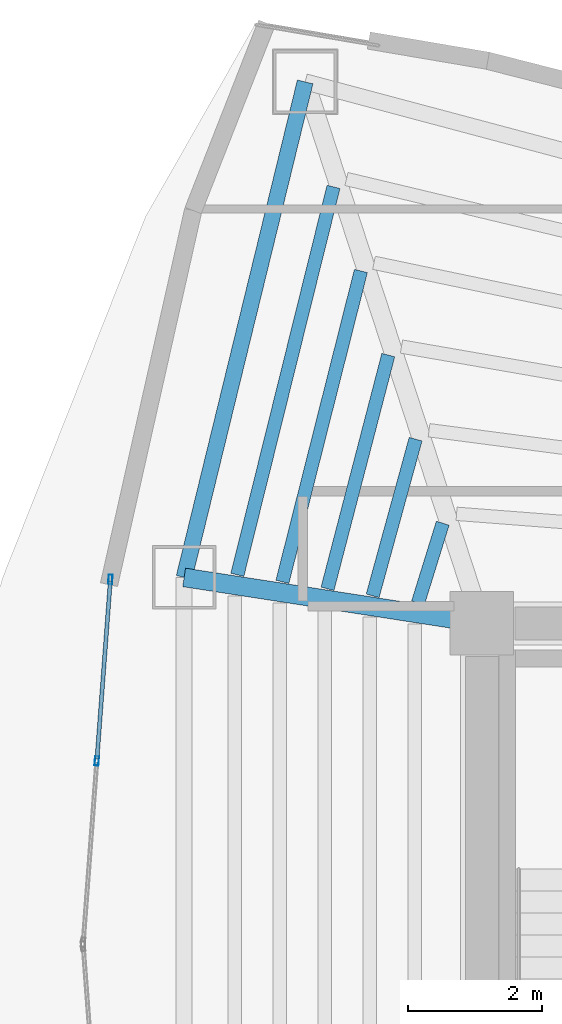
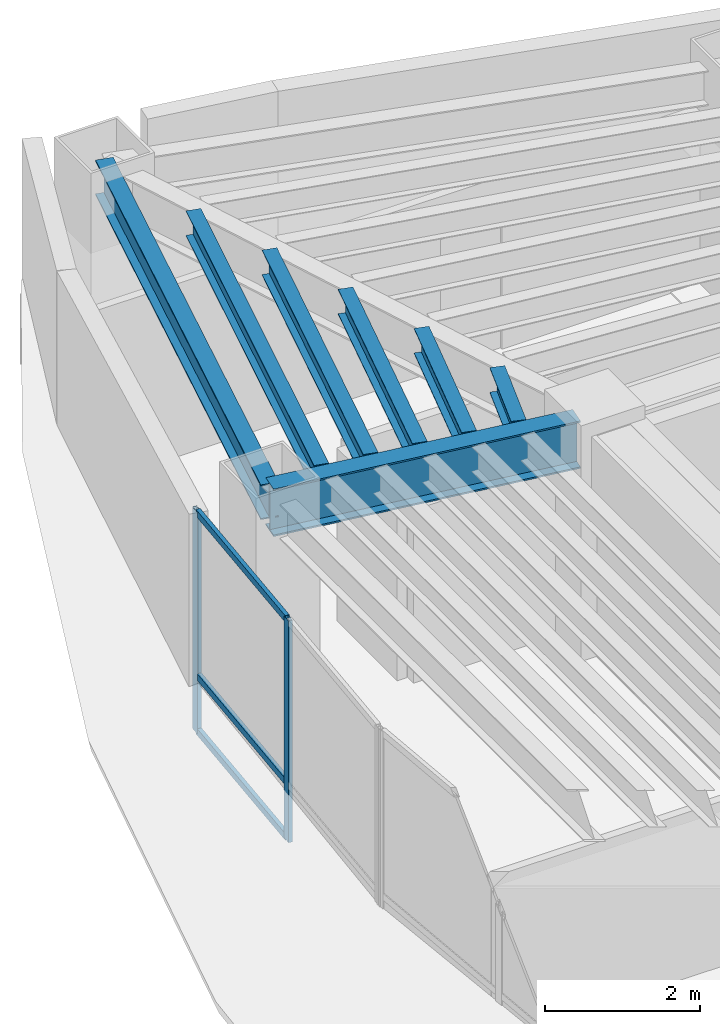
# One storey, part 7 of 15: 7 beams, 5 members, 1 element without a shape of its own.
"""IFC4 building model written with IfcOpenShell, lengths in metres."""

from ifc_helpers import new_model, si_unit, direction, frame, origin, origin_2d, place, context, subcontext, project, spatial, hollow_rectangle, i_section, extrude, material, layer, layer_set, material_profile, profile_set, type_object, element, aggregate, save


model = new_model("IFC4")

# Units and contexts
model_context = context("Model", 3, precision=1e-05, world=origin(), true_north=direction((0.0, 1.0)))
body_context = subcontext(model_context, "Body", "Model", "MODEL_VIEW")
ifc_project = project(units=[si_unit("LENGTHUNIT", "METRE"), si_unit("AREAUNIT", "SQUARE_METRE"), si_unit("VOLUMEUNIT", "CUBIC_METRE"), si_unit("PLANEANGLEUNIT", "RADIAN"), si_unit("MASSUNIT", "GRAM", prefix="KILO")], contexts=[model_context])

# Site, building, storey
site_placement = place(None, origin())
site = spatial("IfcSite", under=ifc_project, at=site_placement, CompositionType="ELEMENT")
building_placement = place(site_placement, origin())
building = spatial("IfcBuilding", under=site, at=building_placement, Name="Menara Vayukalpa", CompositionType="ELEMENT")
storey_placement = place(building_placement, frame((0.0, 0.0, 184.080078125)))
storey = spatial("IfcBuildingStorey", under=building, at=storey_placement, Name="L46", CompositionType="ELEMENT", Elevation=184.080078125)

# Beams
ifc_material_1 = material(Name="Steel S355", Category="steel")
ifc_material_profile_1 = material_profile(ifc_material_1, i_section(OverallWidth=0.280029296875, OverallDepth=0.75, WebThickness=0.013916015625, FlangeThickness=0.02490234375, at=origin_2d()), Name="WF 750x280x14x25")
ifc_profile_set_1 = profile_set([ifc_material_profile_1], Name="Steel S355")
beam_type_1 = type_object("IfcBeamType", Name="BM-PG4", PredefinedType="BEAM", material=ifc_profile_set_1)
beam_1_placement = place(storey_placement, frame((17.552978515625, 26.838134765625, 3.125), z_axis=(-0.988244781219, 0.152879862617, 0.0), x_axis=(-0.152879862617, -0.988244781219, 0.0)))
element("IfcBeam", 1, at=beam_1_placement, inside=storey, type_object=beam_type_1, Name="L46 Primary Radial Girder RG05", PredefinedType="BEAM", context=body_context, shape_type="SweptSolid", body=[
    extrude(i_section(OverallWidth=0.280029296875, OverallDepth=0.75, WebThickness=0.013916015625, FlangeThickness=0.02490234375, at=origin_2d()), origin(), (0.0, 0.0, 1.0), 4.259033203125),
])
ifc_material_2 = material(Name="Steel S355", Category="steel")
ifc_material_profile_2 = material_profile(ifc_material_2, i_section(OverallWidth=0.199951171875, OverallDepth=0.39990234375, WebThickness=0.008056640625, FlangeThickness=0.012939453125, at=origin_2d()), Name="WF 400x200x8x13")
ifc_profile_set_2 = profile_set([ifc_material_profile_2], Name="Steel S355")
beam_type_2 = type_object("IfcBeamType", Name="BM-SJ2", PredefinedType="JOIST", material=ifc_profile_set_2)
beam_2_placement = place(storey_placement, frame((17.212890625, 28.300537109375, 3.2998046875), z_axis=(-0.296448419226, -0.955048865105, 0.0), x_axis=(0.955048865105, -0.296448419226, 0.0)))
element("IfcBeam", 2, at=beam_2_placement, inside=storey, type_object=beam_type_2, Name="L46 Secondary Floor Joist SJ04-1", PredefinedType="JOIST", context=body_context, shape_type="SweptSolid", body=[
    extrude(i_section(OverallWidth=0.199951171875, OverallDepth=0.39990234375, WebThickness=0.008056640625, FlangeThickness=0.012939453125, at=origin_2d()), origin(), (0.0, 0.0, 1.0), 1.24853515625),
])
beam_3_placement = place(storey_placement, frame((16.80712890625, 29.5576171875, 3.2998046875), z_axis=(-0.264502665082, -0.964384954344, 0.0), x_axis=(0.964384954344, -0.264502665082, 0.0)))
element("IfcBeam", 3, at=beam_3_placement, inside=storey, type_object=beam_type_2, Name="L46 Secondary Floor Joist SJ04-2", PredefinedType="JOIST", context=body_context, shape_type="SweptSolid", body=[
    extrude(i_section(OverallWidth=0.199951171875, OverallDepth=0.39990234375, WebThickness=0.008056640625, FlangeThickness=0.012939453125, at=origin_2d()), origin(), (0.0, 0.0, 1.0), 2.430419921875),
])
beam_4_placement = place(storey_placement, frame((16.398193359375, 30.815185546875, 3.2998046875), z_axis=(-0.251714869346, -0.967801438597, 0.0), x_axis=(0.967801438597, -0.251714869346, 0.0)))
element("IfcBeam", 4, at=beam_4_placement, inside=storey, type_object=beam_type_2, Name="L46 Secondary Floor Joist SJ04-3", PredefinedType="JOIST", context=body_context, shape_type="SweptSolid", body=[
    extrude(i_section(OverallWidth=0.199951171875, OverallDepth=0.39990234375, WebThickness=0.008056640625, FlangeThickness=0.012939453125, at=origin_2d()), origin(), (0.0, 0.0, 1.0), 3.61279296875),
])
beam_5_placement = place(storey_placement, frame((15.988525390625, 32.073486328125, 3.2998046875), z_axis=(-0.24483447751, -0.969564891393, 0.0), x_axis=(0.969564891393, -0.24483447751, 0.0)))
element("IfcBeam", 5, at=beam_5_placement, inside=storey, type_object=beam_type_2, Name="L46 Secondary Floor Joist SJ04-4", PredefinedType="JOIST", context=body_context, shape_type="SweptSolid", body=[
    extrude(i_section(OverallWidth=0.199951171875, OverallDepth=0.39990234375, WebThickness=0.008056640625, FlangeThickness=0.012939453125, at=origin_2d()), origin(), (0.0, 0.0, 1.0), 4.79638671875),
])
beam_6_placement = place(storey_placement, frame((15.57861328125, 33.33154296875, 3.2998046875), z_axis=(-0.240556182956, -0.970635216156, 0.0), x_axis=(0.970635216156, -0.240556182956, 0.0)))
element("IfcBeam", 6, at=beam_6_placement, inside=storey, type_object=beam_type_2, Name="L46 Secondary Floor Joist SJ04-5", PredefinedType="JOIST", context=body_context, shape_type="SweptSolid", body=[
    extrude(i_section(OverallWidth=0.199951171875, OverallDepth=0.39990234375, WebThickness=0.008056640625, FlangeThickness=0.012939453125, at=origin_2d()), origin(), (0.0, 0.0, 1.0), 5.979736328125),
])
ifc_material_3 = material(Name="Steel S355", Category="steel")
ifc_material_profile_3 = material_profile(ifc_material_3, i_section(OverallWidth=0.239990234375, OverallDepth=0.550048828125, WebThickness=0.010986328125, FlangeThickness=0.01904296875, at=origin_2d()), Name="WF 550x240x11x19")
ifc_profile_set_3 = profile_set([ifc_material_profile_3], Name="Steel S355")
beam_type_3 = type_object("IfcBeamType", Name="BM-SP2", PredefinedType="SPANDREL", material=ifc_profile_set_3)
beam_7_placement = place(storey_placement, frame((15.15478515625, 34.902587890625, 3.224853515625), z_axis=(-0.237285374413, -0.971439988414, 0.0), x_axis=(0.971439988414, -0.237285374413, 0.0)))
element("IfcBeam", 7, at=beam_7_placement, inside=storey, type_object=beam_type_3, Name="L46 Perimeter Spandrel Beam SP04", PredefinedType="SPANDREL", context=body_context, shape_type="SweptSolid", body=[
    extrude(i_section(OverallWidth=0.239990234375, OverallDepth=0.550048828125, WebThickness=0.010986328125, FlangeThickness=0.01904296875, at=origin_2d()), origin(), (0.0, 0.0, 1.0), 7.63134765625),
])

# Curtain wall, members
ifc_material_4 = material(Name="Anodised Terracotta Aluminium Alloy 6063-T6", Category="masonry")
ifc_layer = layer(ifc_material_4, 0.139892578125)
ifc_layer_set = layer_set([ifc_layer], Name="Anodised Terracotta Aluminium Alloy 6063-T6")
curtain_wall_type = type_object("IfcCurtainWallType", Name="CW-CW5", PredefinedType="USERDEFINED", material=ifc_layer_set)
curtain_wall_placement = place(storey_placement, origin())
curtain_wall = element("IfcCurtainWall", 8, at=curtain_wall_placement, inside=storey, type_object=curtain_wall_type, Name="L46 High Rise Tapered Curtain Wall CW5 10", ObjectType="UNITISED", PredefinedType="USERDEFINED")
ifc_material_5 = material(Name="Anodised Terracotta Aluminium Alloy 6063-T6", Category="masonry")
ifc_material_profile_4 = material_profile(ifc_material_5, hollow_rectangle(XDim=0.06005859375, YDim=0.139892578125, WallThickness=0.00341796875, at=origin_2d()), Name="ALU 60x140x3.5")
ifc_profile_set_4 = profile_set([ifc_material_profile_4], Name="Anodised Terracotta Aluminium Alloy 6063-T6")
member_type_1 = type_object("IfcMemberType", Name="CWM-CW5", PredefinedType="MULLION", material=ifc_profile_set_4)
member_1_placement = place(storey_placement, frame((12.24169921875, 27.459228515625, 0.0), z_axis=(0.0, 0.0, 1.0), x_axis=(0.9971991744, -0.074791754736, 0.0)))
member_1 = element("IfcMember", 9, at=member_1_placement, type_object=member_type_1, Name="CW5 mullion 1", PredefinedType="MULLION", context=body_context, shape_type="SweptSolid", body=[
    extrude(hollow_rectangle(XDim=0.06005859375, YDim=0.139892578125, WallThickness=0.00341796875, at=origin_2d()), origin(), (0.0, 0.0, 1.0), 3.5),
])
member_2_placement = place(storey_placement, frame((12.0380859375, 24.74462890625, 0.0), z_axis=(0.0, 0.0, 1.0), x_axis=(0.9971991744, -0.074791754736, 0.0)))
member_2 = element("IfcMember", 10, at=member_2_placement, type_object=member_type_1, Name="CW5 mullion 2", PredefinedType="MULLION", context=body_context, shape_type="SweptSolid", body=[
    extrude(hollow_rectangle(XDim=0.06005859375, YDim=0.139892578125, WallThickness=0.00341796875, at=origin_2d()), origin(), (0.0, 0.0, 1.0), 3.5),
])
ifc_material_6 = material(Name="Anodised Terracotta Aluminium Alloy 6063-T6", Category="masonry")
ifc_material_profile_5 = material_profile(ifc_material_6, hollow_rectangle(XDim=0.06005859375, YDim=0.10498046875, WallThickness=0.0029296875, at=origin_2d()), Name="ALU 60x105x3")
ifc_profile_set_5 = profile_set([ifc_material_profile_5], Name="Anodised Terracotta Aluminium Alloy 6063-T6")
member_type_2 = type_object("IfcMemberType", Name="CWT-CW5", PredefinedType="USERDEFINED", material=ifc_profile_set_5)
member_3_placement = place(storey_placement, frame((12.239501953125, 27.429443359375, 0.030029296875), z_axis=(-0.074824141952, -0.997196744771, 0.0), x_axis=(0.997196744771, -0.074824141952, 0.0)))
member_3 = element("IfcMember", 11, at=member_3_placement, type_object=member_type_2, Name="CW5 transom 1.1", ObjectType="TRANSOM", PredefinedType="USERDEFINED", context=body_context, shape_type="SweptSolid", body=[
    extrude(hollow_rectangle(XDim=0.06005859375, YDim=0.10498046875, WallThickness=0.0029296875, at=origin_2d()), origin(), (0.0, 0.0, 1.0), 2.66259765625),
])
member_4_placement = place(storey_placement, frame((12.239501953125, 27.429443359375, 0.89990234375), z_axis=(-0.074824141952, -0.997196744771, 0.0), x_axis=(0.997196744771, -0.074824141952, 0.0)))
member_4 = element("IfcMember", 12, at=member_4_placement, type_object=member_type_2, Name="CW5 transom 1.2", ObjectType="TRANSOM", PredefinedType="USERDEFINED", context=body_context, shape_type="SweptSolid", body=[
    extrude(hollow_rectangle(XDim=0.06005859375, YDim=0.10498046875, WallThickness=0.0029296875, at=origin_2d()), origin(), (0.0, 0.0, 1.0), 2.66259765625),
])
member_5_placement = place(storey_placement, frame((12.239501953125, 27.429443359375, 3.469970703125), z_axis=(-0.074824141952, -0.997196744771, 0.0), x_axis=(0.997196744771, -0.074824141952, 0.0)))
member_5 = element("IfcMember", 13, at=member_5_placement, type_object=member_type_2, Name="CW5 transom 1.3", ObjectType="TRANSOM", PredefinedType="USERDEFINED", context=body_context, shape_type="SweptSolid", body=[
    extrude(hollow_rectangle(XDim=0.06005859375, YDim=0.10498046875, WallThickness=0.0029296875, at=origin_2d()), origin(), (0.0, 0.0, 1.0), 2.66259765625),
])
aggregate(curtain_wall, [member_1, member_2, member_3, member_4, member_5])

save(model, "model.ifc")
